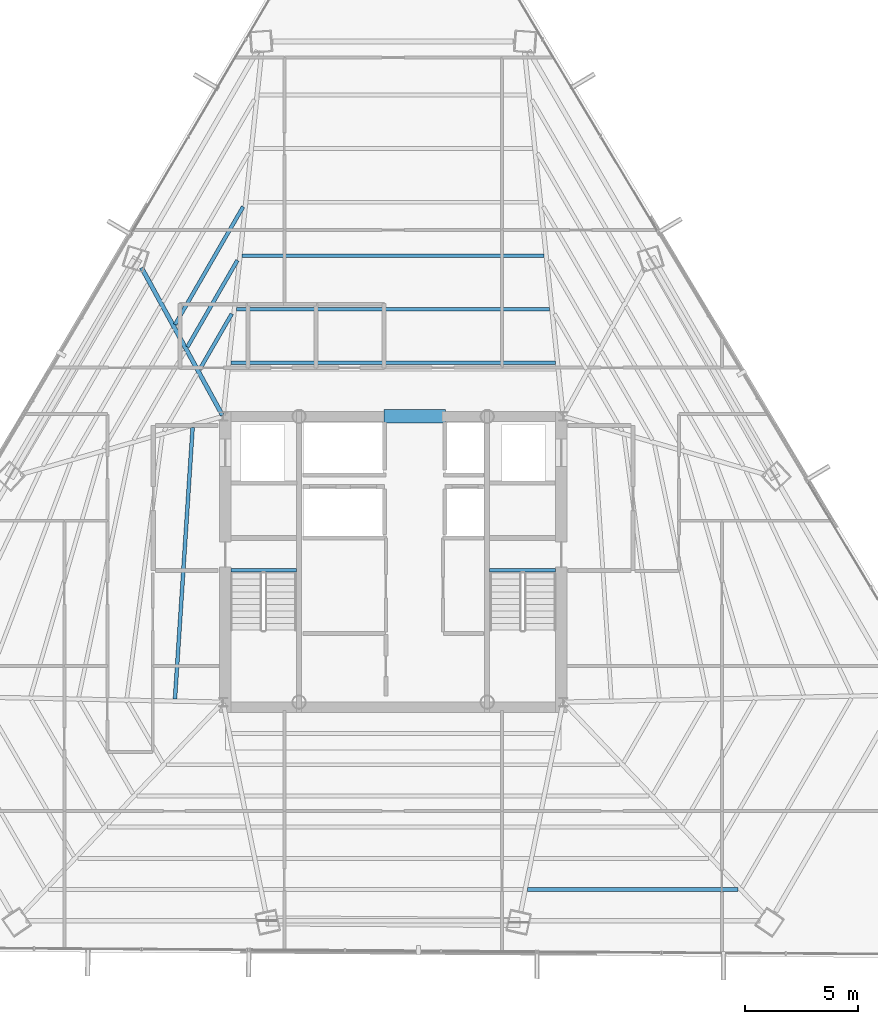
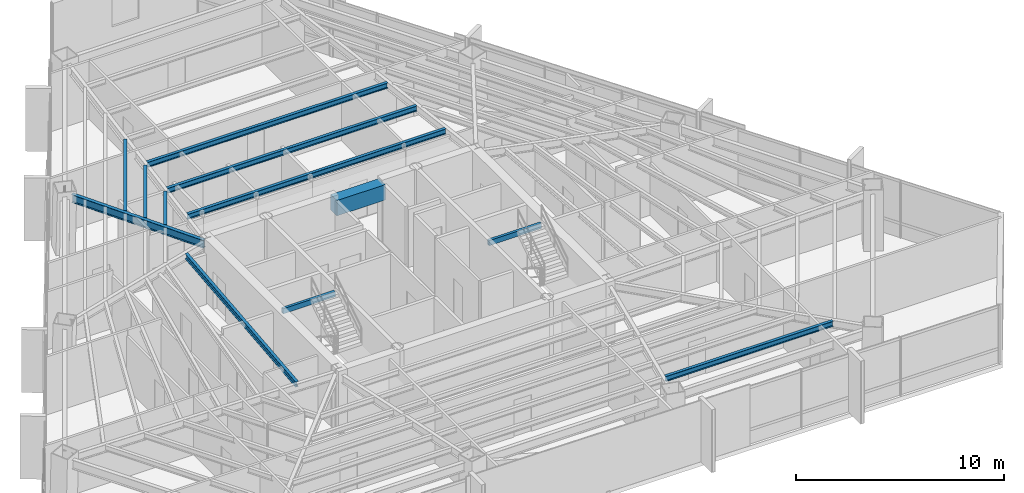
# One storey, part 16 of 41: 12 beams.
"""IFC4 building model written with IfcOpenShell, lengths in metres."""

from ifc_helpers import new_model, si_unit, direction, frame, origin, origin_2d, place, context, subcontext, project, spatial, rectangle, hollow_rectangle, i_section, extrude, source, transform, mapped, material, material_profile, profile_set, type_object, type_shapes, element, save


model = new_model("IFC4")

# Units and contexts
model_context = context("Model", 3, precision=1e-05, world=origin(), true_north=direction((0.0, 1.0)))
body_context = subcontext(model_context, "Body", "Model", "MODEL_VIEW")
ifc_project = project(units=[si_unit("LENGTHUNIT", "METRE"), si_unit("AREAUNIT", "SQUARE_METRE"), si_unit("VOLUMEUNIT", "CUBIC_METRE"), si_unit("PLANEANGLEUNIT", "RADIAN"), si_unit("MASSUNIT", "GRAM", prefix="KILO")], contexts=[model_context])

# Site, building, storey
site_placement = place(None, origin())
site = spatial("IfcSite", under=ifc_project, at=site_placement, CompositionType="ELEMENT")
building_placement = place(site_placement, origin())
building = spatial("IfcBuilding", under=site, at=building_placement, Name="Caelisora Broadcast Tower", CompositionType="ELEMENT")
storey_placement = place(building_placement, frame((0.0, 0.0, 173.10009765625)))
storey = spatial("IfcBuildingStorey", under=building, at=storey_placement, Name="L45", CompositionType="ELEMENT", Elevation=173.10009765625)

# Beams
ifc_material_1 = material(Name="Steel Grade 350 (AS/NZS 1163 C350L0)", Category="steel")
ifc_material_profile_1 = material_profile(ifc_material_1, hollow_rectangle(XDim=0.14990234375, YDim=0.300048828125, WallThickness=0.010009765625, at=origin_2d()), Name="Steel Grade 350 (AS/NZS 1163 C350L0)")
ifc_profile_set_1 = profile_set([ifc_material_profile_1], Name="Steel Grade 350 (AS/NZS 1163 C350L0)")
beam_type_1 = type_object("IfcBeamType", Name="SB05", PredefinedType="JOIST", material=ifc_profile_set_1)
shared_shape_1 = source(origin(), body_context, "Body", "SweptSolid", [
    extrude(hollow_rectangle(XDim=0.14990234375, YDim=0.300048828125, WallThickness=0.010009765625, at=origin_2d()), origin(), (0.0, 0.0, 1.0), 2.89990234375),
])
type_shapes(beam_type_1, [shared_shape_1])
for number, where, z_axis, x_axis, name in (
    (1, (30.840087890625, 23.219970703125, 3.25), (1.0, 0.0, 0.0), (0.0, 1.0, 0.0), "L45 beam SB05"),
    (2, (42.260009765625, 23.219970703125, 3.25), (1.0, 0.0, 0.0), (0.0, 1.0, 0.0), "L45 beam SB05"),
):
    element("IfcBeam", number, at=place(storey_placement, frame(where, z_axis=z_axis, x_axis=x_axis)), inside=storey, type_object=beam_type_1, Name=name, PredefinedType="JOIST", context=body_context, shape_type="MappedRepresentation", body=[
        mapped(shared_shape_1, transform((0.0, 0.0, 0.0), scale=1.0)),
    ])
ifc_material_2 = material(Name="Concrete 50 MPa (AS 3600 S50)", Category="concrete")
ifc_material_profile_2 = material_profile(ifc_material_2, rectangle(XDim=0.60009765625, YDim=0.89990234375, at=origin_2d()), Name="Concrete 50 MPa (AS 3600 S50)")
ifc_profile_set_2 = profile_set([ifc_material_profile_2], Name="Concrete 50 MPa (AS 3600 S50)")
beam_type_2 = type_object("IfcBeamType", Name="CB02", PredefinedType="LINTEL", material=ifc_profile_set_2)
shared_shape_2 = source(origin(), body_context, "Body", "SweptSolid", [
    extrude(rectangle(XDim=0.60009765625, YDim=0.89990234375, at=origin_2d()), origin(), (0.0, 0.0, 1.0), 2.699951171875),
])
type_shapes(beam_type_2, [shared_shape_2])
beam_1_placement = place(storey_placement, frame((37.60009765625, 30.0, 2.949951171875), z_axis=(1.0, 0.0, 0.0), x_axis=(0.0, 1.0, 0.0)))
element("IfcBeam", 3, at=beam_1_placement, inside=storey, type_object=beam_type_2, Name="L45 beam CB02", PredefinedType="LINTEL", context=body_context, shape_type="MappedRepresentation", body=[
    mapped(shared_shape_2, transform((0.0, 0.0, 0.0), scale=1.0)),
])
ifc_material_3 = material(Name="Steel Grade 350 (AS/NZS 3679.1)", Category="steel")
ifc_material_profile_3 = material_profile(ifc_material_3, i_section(OverallWidth=0.19091796875, OverallDepth=0.46044921875, WebThickness=0.010009765625, FlangeThickness=0.01611328125, at=origin_2d()), Name="Steel Grade 350 (AS/NZS 3679.1)")
ifc_profile_set_3 = profile_set([ifc_material_profile_3], Name="Steel Grade 350 (AS/NZS 3679.1)")
beam_type_3 = type_object("IfcBeamType", Name="PG06", PredefinedType="BEAM", material=ifc_profile_set_3)
shared_shape_3 = source(origin(), body_context, "Body", "SweptSolid", [
    extrude(i_section(OverallWidth=0.19091796875, OverallDepth=0.46044921875, WebThickness=0.010009765625, FlangeThickness=0.01611328125, at=origin_2d()), origin(), (0.0, 0.0, 1.0), 7.418701171875),
])
type_shapes(beam_type_3, [shared_shape_3])
beam_2_placement = place(storey_placement, frame((30.47119140625, 30.052490234375, 3.169677734375), z_axis=(-0.480568975853, 0.876956931353, 0.0), x_axis=(-0.876956931353, -0.480568975853, 0.0)))
element("IfcBeam", 4, at=beam_2_placement, inside=storey, type_object=beam_type_3, Name="L45 beam PG06", PredefinedType="BEAM", context=body_context, shape_type="MappedRepresentation", body=[
    mapped(shared_shape_3, transform((0.0, 0.0, 0.0), scale=1.0)),
])
ifc_material_profile_4 = material_profile(ifc_material_3, i_section(OverallWidth=0.166015625, OverallDepth=0.30712890625, WebThickness=0.006591796875, FlangeThickness=0.01171875, at=origin_2d()), Name="Steel Grade 350 (AS/NZS 3679.1)")
ifc_profile_set_4 = profile_set([ifc_material_profile_4], Name="Steel Grade 350 (AS/NZS 3679.1)")
beam_type_4 = type_object("IfcBeamType", Name="SB03", PredefinedType="JOIST", material=ifc_profile_set_4)
shared_shape_4 = source(origin(), body_context, "Body", "SweptSolid", [
    extrude(i_section(OverallWidth=0.166015625, OverallDepth=0.30712890625, WebThickness=0.006591796875, FlangeThickness=0.01171875, at=origin_2d()), origin(), (0.0, 0.0, 1.0), 14.3134765625),
])
beam_3_placement = place(storey_placement, frame((45.15673828125, 32.362060546875, 3.246337890625), z_axis=(-1.0, 0.0, 0.0), x_axis=(0.0, -1.0, 0.0)))
element("IfcBeam", 5, at=beam_3_placement, inside=storey, type_object=beam_type_4, Name="L45 beam SB03", PredefinedType="JOIST", context=body_context, shape_type="MappedRepresentation", body=[
    mapped(shared_shape_4, transform((0.0, 0.0, 0.0), scale=1.0)),
])
shared_shape_5 = source(origin(), body_context, "Body", "SweptSolid", [
    extrude(i_section(OverallWidth=0.166015625, OverallDepth=0.30712890625, WebThickness=0.006591796875, FlangeThickness=0.01171875, at=origin_2d()), origin(), (0.0, 0.0, 1.0), 13.81298828125),
])
beam_4_placement = place(storey_placement, frame((44.906494140625, 34.72412109375, 3.246337890625), z_axis=(-1.0, 0.0, 0.0), x_axis=(0.0, -1.0, 0.0)))
element("IfcBeam", 6, at=beam_4_placement, inside=storey, type_object=beam_type_4, Name="L45 beam SB03", PredefinedType="JOIST", context=body_context, shape_type="MappedRepresentation", body=[
    mapped(shared_shape_5, transform((0.0, 0.0, 0.0), scale=1.0)),
])
shared_shape_6 = source(origin(), body_context, "Body", "SweptSolid", [
    extrude(i_section(OverallWidth=0.166015625, OverallDepth=0.30712890625, WebThickness=0.006591796875, FlangeThickness=0.01171875, at=origin_2d()), origin(), (0.0, 0.0, 1.0), 13.31298828125),
])
beam_5_placement = place(storey_placement, frame((44.656494140625, 37.086181640625, 3.246337890625), z_axis=(-1.0, 0.0, 0.0), x_axis=(0.0, -1.0, 0.0)))
element("IfcBeam", 7, at=beam_5_placement, inside=storey, type_object=beam_type_4, Name="L45 beam SB03", PredefinedType="JOIST", context=body_context, shape_type="MappedRepresentation", body=[
    mapped(shared_shape_6, transform((0.0, 0.0, 0.0), scale=1.0)),
])
shared_shape_7 = source(origin(), body_context, "Body", "SweptSolid", [
    extrude(i_section(OverallWidth=0.166015625, OverallDepth=0.30712890625, WebThickness=0.006591796875, FlangeThickness=0.01171875, at=origin_2d()), origin(), (0.0, 0.0, 1.0), 2.828857421875),
])
beam_6_placement = place(storey_placement, frame((30.88427734375, 34.523193359375, 3.246337890625), z_axis=(-0.499954046029, -0.866051933696, 0.0), x_axis=(0.866051933696, -0.499954046029, 0.0)))
element("IfcBeam", 8, at=beam_6_placement, inside=storey, type_object=beam_type_4, Name="L45 beam SB03", PredefinedType="JOIST", context=body_context, shape_type="MappedRepresentation", body=[
    mapped(shared_shape_7, transform((0.0, 0.0, 0.0), scale=1.0)),
])
shared_shape_8 = source(origin(), body_context, "Body", "SweptSolid", [
    extrude(i_section(OverallWidth=0.166015625, OverallDepth=0.30712890625, WebThickness=0.006591796875, FlangeThickness=0.01171875, at=origin_2d()), origin(), (0.0, 0.0, 1.0), 4.41357421875),
])
beam_7_placement = place(storey_placement, frame((31.134521484375, 36.885009765625, 3.246337890625), z_axis=(-0.50004165882, -0.866001350717, 0.0), x_axis=(0.866001350717, -0.50004165882, 0.0)))
element("IfcBeam", 9, at=beam_7_placement, inside=storey, type_object=beam_type_4, Name="L45 beam SB03", PredefinedType="JOIST", context=body_context, shape_type="MappedRepresentation", body=[
    mapped(shared_shape_8, transform((0.0, 0.0, 0.0), scale=1.0)),
])
shared_shape_9 = source(origin(), body_context, "Body", "SweptSolid", [
    extrude(i_section(OverallWidth=0.166015625, OverallDepth=0.30712890625, WebThickness=0.006591796875, FlangeThickness=0.01171875, at=origin_2d()), origin(), (0.0, 0.0, 1.0), 5.99853515625),
])
beam_8_placement = place(storey_placement, frame((31.384521484375, 39.247314453125, 3.246337890625), z_axis=(-0.49995615415, -0.866050716718, 0.0), x_axis=(0.866050716718, -0.49995615415, 0.0)))
element("IfcBeam", 10, at=beam_8_placement, inside=storey, type_object=beam_type_4, Name="L45 beam SB03", PredefinedType="JOIST", context=body_context, shape_type="MappedRepresentation", body=[
    mapped(shared_shape_9, transform((0.0, 0.0, 0.0), scale=1.0)),
])
shared_shape_10 = source(origin(), body_context, "Body", "SweptSolid", [
    extrude(i_section(OverallWidth=0.166015625, OverallDepth=0.30712890625, WebThickness=0.006591796875, FlangeThickness=0.01171875, at=origin_2d()), origin(), (0.0, 0.0, 1.0), 12.00732421875),
])
beam_9_placement = place(storey_placement, frame((29.158935546875, 29.518798828125, 3.246337890625), z_axis=(-0.064962939179, -0.997887677313, 0.0), x_axis=(0.997887677313, -0.064962939179, 0.0)))
element("IfcBeam", 11, at=beam_9_placement, inside=storey, type_object=beam_type_4, Name="L45 beam SB03", PredefinedType="JOIST", context=body_context, shape_type="MappedRepresentation", body=[
    mapped(shared_shape_10, transform((0.0, 0.0, 0.0), scale=1.0)),
])
shared_shape_11 = source(origin(), body_context, "Body", "SweptSolid", [
    extrude(i_section(OverallWidth=0.166015625, OverallDepth=0.30712890625, WebThickness=0.006591796875, FlangeThickness=0.01171875, at=origin_2d()), origin(), (0.0, 0.0, 1.0), 9.2861328125),
])
type_shapes(beam_type_4, [shared_shape_4, shared_shape_5, shared_shape_6, shared_shape_7, shared_shape_8, shared_shape_9, shared_shape_10, shared_shape_11])
beam_10_placement = place(storey_placement, frame((43.92041015625, 9.13232421875, 3.246337890625), z_axis=(1.0, 0.0, 0.0), x_axis=(0.0, 1.0, 0.0)))
element("IfcBeam", 12, at=beam_10_placement, inside=storey, type_object=beam_type_4, Name="L45 beam SB03", PredefinedType="JOIST", context=body_context, shape_type="MappedRepresentation", body=[
    mapped(shared_shape_11, transform((0.0, 0.0, 0.0), scale=1.0)),
])

save(model, "model.ifc")
